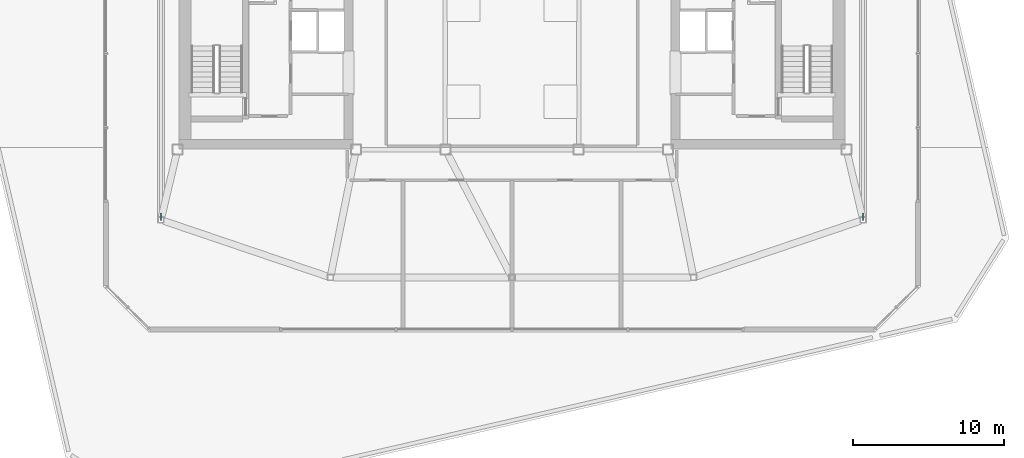
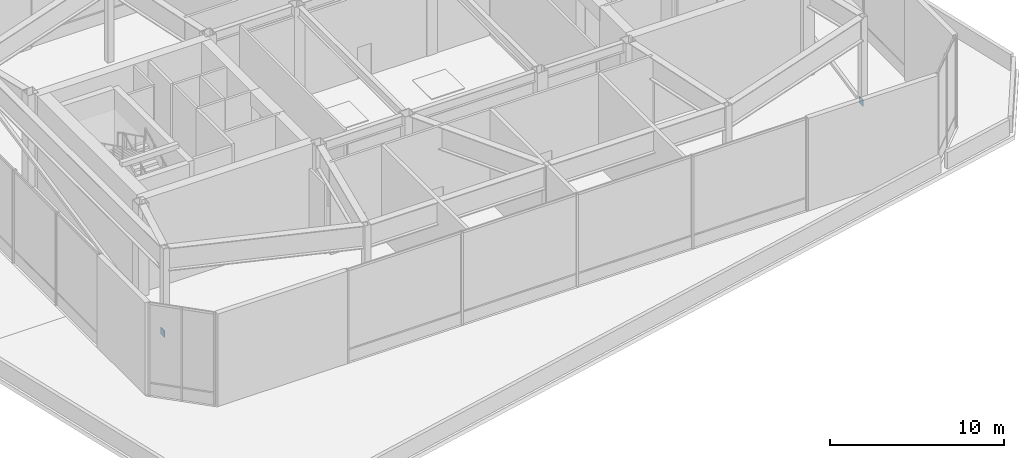
# One storey, part 23 of 25: 2 discrete accessories.
"""IFC4 building model written with IfcOpenShell, lengths in metres."""

from ifc_helpers import new_model, si_unit, direction, frame, origin, origin_2d, place, context, subcontext, project, spatial, rectangle, extrude, material, type_object, element, save


model = new_model("IFC4")

# Units and contexts
model_context = context("Model", 3, precision=1e-05, world=origin(), true_north=direction((0.0, 1.0)))
body_context = subcontext(model_context, "Body", "Model", "MODEL_VIEW")
ifc_project = project(units=[si_unit("LENGTHUNIT", "METRE"), si_unit("AREAUNIT", "SQUARE_METRE"), si_unit("VOLUMEUNIT", "CUBIC_METRE"), si_unit("PLANEANGLEUNIT", "RADIAN"), si_unit("MASSUNIT", "GRAM", prefix="KILO")], contexts=[model_context])

# Site, building, storey
site_placement = place(None, origin())
site = spatial("IfcSite", under=ifc_project, at=site_placement, CompositionType="ELEMENT")
building_placement = place(site_placement, origin())
building = spatial("IfcBuilding", under=site, at=building_placement, Name="Tavrogorsk Clinical Tower", CompositionType="ELEMENT")
storey_placement = place(building_placement, frame((0.0, 0.0, 333.0)))
storey = spatial("IfcBuildingStorey", under=building, at=storey_placement, Name="L78", CompositionType="ELEMENT", Elevation=333.0)

# Discrete accessories
ifc_material = material(Name="Structural steel S440", Category="steel")
discrete_accessory_type = type_object("IfcDiscreteAccessoryType", Name="GussetPlateBracket_25", PredefinedType="BRACKET", material=ifc_material)
for number, where, z_axis, x_axis, name in (
    (1, (-23.199951171875, -10.794189453125, 0.112060546875), (0.0, 0.0, 1.0), (0.0, 1.0, 0.0), "L78 Brace Gusset Plate CRNBR-L78-1-A"),
    (2, (23.199951171875, -10.794189453125, 0.112060546875), (0.0, 0.0, 1.0), (0.0, 1.0, 0.0), "L78 Brace Gusset Plate CRNBR-L78-2-A"),
):
    element("IfcDiscreteAccessory", number, at=place(storey_placement, frame(where, z_axis=z_axis, x_axis=x_axis)), inside=storey, type_object=discrete_accessory_type, Name=name, PredefinedType="BRACKET", context=body_context, shape_type="SweptSolid", body=[
        extrude(rectangle(XDim=0.4599609375, YDim=0.0400390625, at=origin_2d()), origin(), (0.0, 0.0, 1.0), 0.4599609375),
    ])

save(model, "model.ifc")
